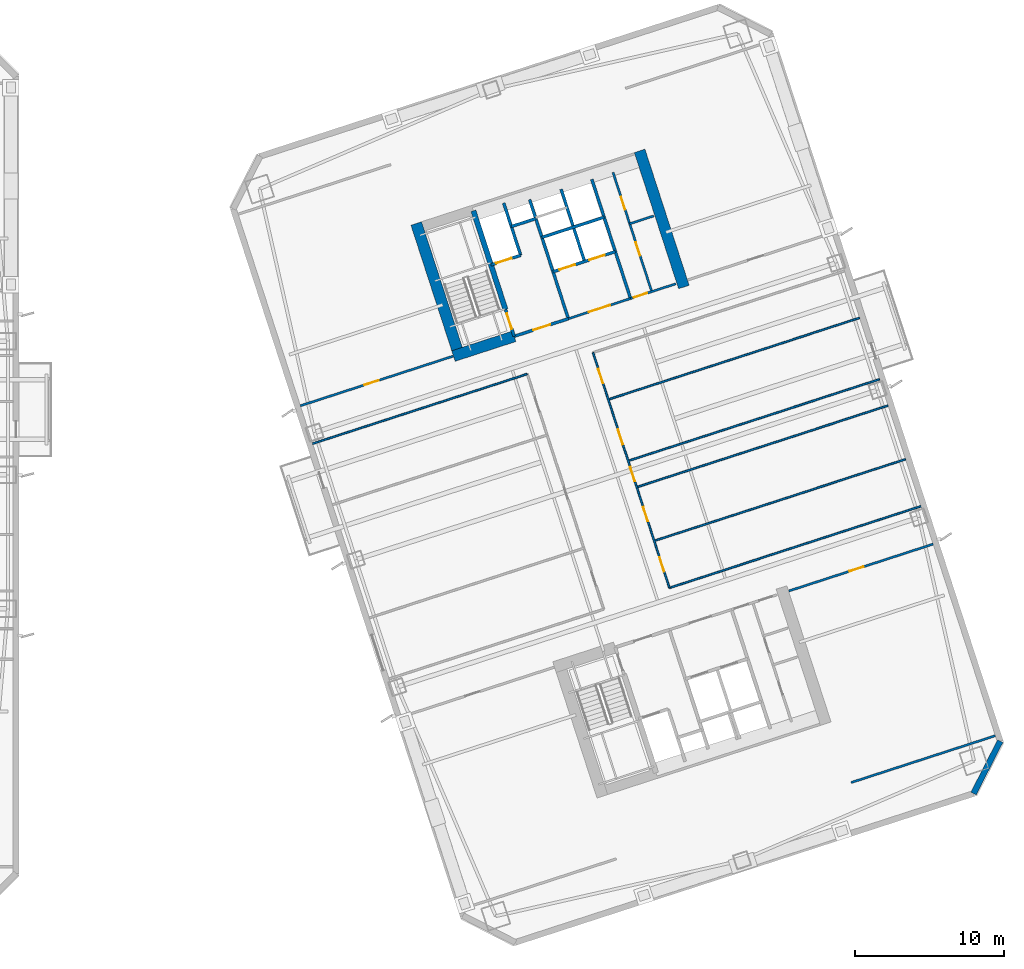
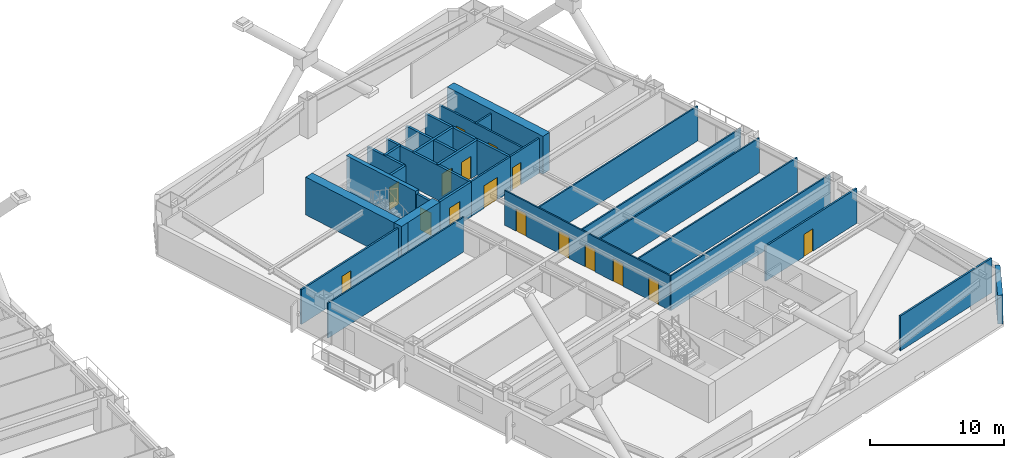
# One storey, part 8 of 18: 29 walls, 16 doors, 16 openings.
"""IFC4 building model written with IfcOpenShell, lengths in metres."""

from ifc_helpers import new_model, si_unit, direction, frame, frame_2d, origin, place, context, subcontext, project, spatial, rectangle, extrude, material, layer, layer_set, type_object, element, fill, save


model = new_model("IFC4")

# Units and contexts
model_context = context("Model", 3, precision=1e-05, world=origin(), true_north=direction((0.0, 1.0)))
body_context = subcontext(model_context, "Body", "Model", "MODEL_VIEW")
ifc_project = project(units=[si_unit("LENGTHUNIT", "METRE"), si_unit("AREAUNIT", "SQUARE_METRE"), si_unit("VOLUMEUNIT", "CUBIC_METRE"), si_unit("PLANEANGLEUNIT", "RADIAN"), si_unit("MASSUNIT", "GRAM", prefix="KILO")], contexts=[model_context])

# Site, building, storey
site_placement = place(None, origin())
site = spatial("IfcSite", under=ifc_project, at=site_placement, CompositionType="ELEMENT")
building_placement = place(site_placement, origin())
building = spatial("IfcBuilding", under=site, at=building_placement, Name="Qiaolan Cultural Towers", CompositionType="ELEMENT")
storey_placement = place(building_placement, frame((0.0, 0.0, 57.5)))
storey = spatial("IfcBuildingStorey", under=building, at=storey_placement, Name="L13", CompositionType="ELEMENT", Elevation=57.5)

# Walls
ifc_material_1 = material(Name="Concrete C50", Category="concrete")
ifc_layer_1 = layer(ifc_material_1, 0.35009765625)
ifc_layer_set_1 = layer_set([ifc_layer_1], Name="Concrete C50")
wall_type_1 = type_object("IfcWallType", Name="WL-CORE-350", PredefinedType="SHEAR", material=ifc_layer_set_1)
wall_1_placement = place(storey_placement, frame((82.513671875, 45.13134765625, 0.0), z_axis=(0.0, 0.0, 1.0), x_axis=(-0.308988790936, 0.951065679686, 0.0)))
element("IfcWall", 1, at=wall_1_placement, inside=storey, type_object=wall_type_1, Name="L13 T2-CN Stair Core Dividing Web", PredefinedType="SHEAR", context=body_context, shape_type="SweptSolid", body=[
    extrude(rectangle(XDim=6.97998046875, YDim=0.35009765625, at=frame_2d((3.489990234375, 0.0))), origin(), (0.0, 0.0, 1.0), 3.449951171875),
])
ifc_material_2 = material(Name="Concrete C60", Category="concrete")
ifc_layer_2 = layer(ifc_material_2, 0.75)
ifc_layer_set_2 = layer_set([ifc_layer_2], Name="Concrete C60")
wall_type_2 = type_object("IfcWallType", Name="WL-CORE-750", PredefinedType="SHEAR", material=ifc_layer_set_2)
for number, where, z_axis, x_axis, name in (
    (2, (79.48876953125, 41.75634765625, 0.0), (0.0, 0.0, 1.0), (-0.309016134813, 0.951056795583, 0.0), "L13 T2-CN West Core Shear Wall"),
    (3, (94.515380859375, 46.638916015625, 0.0), (0.0, 0.0, 1.0), (-0.309016134813, 0.951056795583, 0.0), "L13 T2-CN East Core Shear Wall"),
):
    element("IfcWall", number, at=place(storey_placement, frame(where, z_axis=z_axis, x_axis=x_axis)), inside=storey, type_object=wall_type_2, Name=name, PredefinedType="SHEAR", context=body_context, shape_type="SweptSolid", body=[
        extrude(rectangle(XDim=9.630126953125, YDim=0.75, at=frame_2d((4.81494140625, 0.0))), origin(), (0.0, 0.0, 1.0), 3.449951171875),
    ])
wall_2_placement = place(storey_placement, frame((79.01611328125, 41.997314453125, 0.0), z_axis=(0.0, 0.0, 1.0), x_axis=(0.95106038264, 0.309005094736, 0.0)))
element("IfcWall", 4, at=wall_2_placement, inside=storey, type_object=wall_type_2, Name="L13 T2-CN Stair Front Shear Wall", PredefinedType="SHEAR", context=body_context, shape_type="SweptSolid", body=[
    extrude(rectangle(XDim=4.294921875, YDim=0.75, at=frame_2d((2.1474609375, 0.0))), origin(), (0.0, 0.0, 1.0), 3.449951171875),
])
ifc_material_3 = material(Name="Precast Concrete C50 Honed Stone Pier", Category="masonry")
ifc_layer_3 = layer(ifc_material_3, 0.39990234375)
ifc_layer_set_3 = layer_set([ifc_layer_3], Name="Precast Concrete C50 Honed Stone Pier")
wall_type_3 = type_object("IfcWallType", Name="WL-EXT-PIER-400", PredefinedType="SOLIDWALL", material=ifc_layer_set_3)
wall_3_placement = place(storey_placement, frame((115.79541015625, 16.094970703125, 0.0), z_axis=(0.0, 0.0, 1.0), x_axis=(-0.453958106755, -0.891023028497, 0.0)))
element("IfcWall", 5, at=wall_3_placement, inside=storey, type_object=wall_type_3, Name="L13 East Tower Precast Pier Facade Wall F6", PredefinedType="SOLIDWALL", context=body_context, shape_type="SweptSolid", body=[
    extrude(rectangle(XDim=3.9599609375, YDim=0.39990234375, at=frame_2d((1.97998046875, 0.0))), origin(), (0.0, 0.0, 1.0), 2.610107421875),
])

# Wall, opening, door
ifc_material_4 = material(Name="Concrete C35 Fire Wall", Category="concrete")
ifc_layer_4 = layer(ifc_material_4, 0.199951171875)
ifc_layer_set_4 = layer_set([ifc_layer_4], Name="Concrete C35 Fire Wall")
wall_type_4 = type_object("IfcWallType", Name="WL-FIRE-200", PredefinedType="PARTITIONING", material=ifc_layer_set_4)
wall_4_placement = place(storey_placement, frame((83.100830078125, 43.324462890625, 0.0), z_axis=(0.0, 0.0, 1.0), x_axis=(-0.309048298632, 0.951046344356, 0.0)))
wall_4 = element("IfcWall", 6, at=wall_4_placement, inside=storey, type_object=wall_type_4, Name="L13 T2-CN Smokeproof Stair Entry Wall", PredefinedType="PARTITIONING", context=body_context, shape_type="SweptSolid", body=[
    extrude(rectangle(XDim=1.89990234375, YDim=0.199951171875, at=frame_2d((0.949951171875, 0.0))), origin(), (0.0, 0.0, 1.0), 3.175048828125),
])
opening_1_placement = place(wall_4_placement, frame((0.52001953125, 0.0, 0.0)))
opening_1 = element("IfcOpeningElement", 7, at=opening_1_placement, cuts=wall_4, Name="Opening FD-04", PredefinedType="OPENING", context=body_context, shape_type="SweptSolid", body=[
    extrude(rectangle(XDim=1.10009765625, YDim=2.050048828125, at=frame_2d((0.550048828125, 1.02490234375))), frame((0.0, 0.10986328125, 0.0), z_axis=(0.0, -1.0, 0.0), x_axis=(1.0, 0.0, 0.0)), (0.0, 0.0, 1.0), 0.219970703125),
])
ifc_material_5 = material(Name="Galvanized Steel Command Fire Door", Category="steel")
door_type_1 = type_object("IfcDoorType", Name="DR-FD90-1100", OperationType="NOTDEFINED", PredefinedType="DOOR", material=ifc_material_5)
door_1_placement = place(opening_1_placement, origin())
door_1 = element("IfcDoor", 8, at=door_1_placement, inside=storey, type_object=door_type_1, Name="L13 ST-E2 Smokeproof Stair Fire Door", OperationType="SINGLE_SWING_LEFT", OverallHeight=2.050048828125, OverallWidth=1.10009765625, PredefinedType="DOOR", context=body_context, shape_type="SweptSolid", body=[
    extrude(rectangle(XDim=1.10009765625, YDim=2.050048828125, at=frame_2d((0.550048828125, 1.02490234375))), frame((0.0, 0.02490234375, 0.0), z_axis=(0.0, -1.0, 0.0), x_axis=(1.0, 0.0, 0.0)), (0.0, 0.0, 1.0), 0.050048828125),
])
fill(opening_1, door_1)

# Wall
wall_5_placement = place(storey_placement, frame((86.743408203125, 44.508056640625, 0.0), z_axis=(0.0, 0.0, 1.0), x_axis=(-0.309016001439, 0.951056838919, 0.0)))
element("IfcWall", 9, at=wall_5_placement, inside=storey, type_object=wall_type_4, Name="L13 T2-CN Firefighting Zone Wall", PredefinedType="PARTITIONING", context=body_context, shape_type="SweptSolid", body=[
    extrude(rectangle(XDim=8.429931640625, YDim=0.199951171875, at=frame_2d((4.21484375, 0.0))), origin(), (0.0, 0.0, 1.0), 3.175048828125),
])

# Wall, opening, door
wall_6_placement = place(storey_placement, frame((83.100830078125, 43.324462890625, 0.0), z_axis=(0.0, 0.0, 1.0), x_axis=(0.951052804469, 0.309028417967, 0.0)))
wall_6 = element("IfcWall", 10, at=wall_6_placement, inside=storey, type_object=wall_type_4, Name="L13 T2-CN Firefighting Lobby Front Wall", PredefinedType="PARTITIONING", context=body_context, shape_type="SweptSolid", body=[
    extrude(rectangle(XDim=3.830078125, YDim=0.199951171875, at=frame_2d((1.9150390625, 0.0))), origin(), (0.0, 0.0, 1.0), 3.175048828125),
])
opening_2_placement = place(wall_6_placement, frame((1.35009765625, 0.0, 0.0)))
opening_2 = element("IfcOpeningElement", 11, at=opening_2_placement, cuts=wall_6, Name="Opening FD-03", PredefinedType="OPENING", context=body_context, shape_type="SweptSolid", body=[
    extrude(rectangle(XDim=1.199951171875, YDim=2.050048828125, at=frame_2d((0.60009765625, 1.02490234375))), frame((0.0, 0.10986328125, 0.0), z_axis=(0.0, -1.0, 0.0), x_axis=(1.0, 0.0, 0.0)), (0.0, 0.0, 1.0), 0.219970703125),
])
ifc_material_6 = material(Name="Galvanized Steel Smokeproof Lobby Fire Door", Category="steel")
door_type_2 = type_object("IfcDoorType", Name="DR-FD90-1200", OperationType="NOTDEFINED", PredefinedType="DOOR", material=ifc_material_6)
door_2_placement = place(opening_2_placement, origin())
door_2 = element("IfcDoor", 12, at=door_2_placement, inside=storey, type_object=door_type_2, Name="L13 FFL-E2 Firefighting Lobby Fire Door", OperationType="SINGLE_SWING_LEFT", OverallHeight=2.050048828125, OverallWidth=1.199951171875, PredefinedType="DOOR", context=body_context, shape_type="SweptSolid", body=[
    extrude(rectangle(XDim=1.199951171875, YDim=2.050048828125, at=frame_2d((0.60009765625, 1.02490234375))), frame((0.0, 0.02490234375, 0.0), z_axis=(0.0, -1.0, 0.0), x_axis=(1.0, 0.0, 0.0)), (0.0, 0.0, 1.0), 0.050048828125),
])
fill(opening_2, door_2)

wall_7_placement = place(storey_placement, frame((81.540283203125, 48.127197265625, 0.0), z_axis=(0.0, 0.0, 1.0), x_axis=(0.951062257173, 0.308999325213, 0.0)))
wall_7 = element("IfcWall", 13, at=wall_7_placement, inside=storey, type_object=wall_type_4, Name="L13 T2-CN Firefighting Shaft Front Wall", PredefinedType="PARTITIONING", context=body_context, shape_type="SweptSolid", body=[
    extrude(rectangle(XDim=2.10009765625, YDim=0.199951171875, at=frame_2d((1.050048828125, 0.0))), origin(), (0.0, 0.0, 1.0), 3.175048828125),
])
opening_3_placement = place(wall_7_placement, frame((0.35009765625, 0.0, 0.0)))
opening_3 = element("IfcOpeningElement", 14, at=opening_3_placement, cuts=wall_7, Name="Opening LD-01", PredefinedType="OPENING", context=body_context, shape_type="SweptSolid", body=[
    extrude(rectangle(XDim=1.10009765625, YDim=2.050048828125, at=frame_2d((0.550048828125, 1.02490234375))), frame((0.0, 0.10986328125, 0.0), z_axis=(0.0, -1.0, 0.0), x_axis=(1.0, 0.0, 0.0)), (0.0, 0.0, 1.0), 0.219970703125),
])
ifc_material_7 = material(Name="Brushed Stainless Steel S30408 Centre-Parting Lift Landing Door", Category="steel")
door_type_3 = type_object("IfcDoorType", Name="DR-LIFT-1100", OperationType="NOTDEFINED", PredefinedType="DOOR", material=ifc_material_7)
door_3_placement = place(opening_3_placement, origin())
door_3 = element("IfcDoor", 15, at=door_3_placement, inside=storey, type_object=door_type_3, Name="L13 FFL-E2 Firefighting Lift Landing Door", OperationType="DOUBLE_DOOR_SLIDING", OverallHeight=2.050048828125, OverallWidth=1.10009765625, PredefinedType="DOOR", context=body_context, shape_type="SweptSolid", body=[
    extrude(rectangle(XDim=1.10009765625, YDim=2.050048828125, at=frame_2d((0.550048828125, 1.02490234375))), frame((0.0, 0.02490234375, 0.0), z_axis=(0.0, -1.0, 0.0), x_axis=(1.0, 0.0, 0.0)), (0.0, 0.0, 1.0), 0.050048828125),
])
fill(opening_3, door_3)

# Walls
wall_8_placement = place(storey_placement, frame((83.53759765625, 48.776123046875, 0.0), z_axis=(0.0, 0.0, 1.0), x_axis=(-0.3089935693, 0.951064127245, 0.0)))
element("IfcWall", 16, at=wall_8_placement, inside=storey, type_object=wall_type_4, Name="L13 T2-CN Firefighting Hoistway East Wall", PredefinedType="PARTITIONING", context=body_context, shape_type="SweptSolid", body=[
    extrude(rectangle(XDim=3.7001953125, YDim=0.199951171875, at=frame_2d((1.85009765625, 0.0))), origin(), (0.0, 0.0, 1.0), 3.175048828125),
])
wall_9_placement = place(storey_placement, frame((82.910400390625, 50.706787109375, 0.0), z_axis=(0.0, 0.0, 1.0), x_axis=(0.951041328149, 0.309063734775, 0.0)))
element("IfcWall", 17, at=wall_9_placement, inside=storey, type_object=wall_type_4, Name="L13 T2-CN Pressurization Shaft Front Wall", PredefinedType="PARTITIONING", context=body_context, shape_type="SweptSolid", body=[
    extrude(rectangle(XDim=1.72998046875, YDim=0.199951171875, at=frame_2d((0.864990234375, 0.0))), origin(), (0.0, 0.0, 1.0), 3.175048828125),
])
wall_10_placement = place(storey_placement, frame((90.92822265625, 45.86767578125, 0.0), z_axis=(0.0, 0.0, 1.0), x_axis=(-0.309042196757, 0.951048327176, 0.0)))
element("IfcWall", 18, at=wall_10_placement, inside=storey, type_object=wall_type_4, Name="L13 T2-CN Lift Core East Wall", PredefinedType="PARTITIONING", context=body_context, shape_type="SweptSolid", body=[
    extrude(rectangle(XDim=8.429931640625, YDim=0.199951171875, at=frame_2d((4.21484375, 0.0))), origin(), (0.0, 0.0, 1.0), 3.175048828125),
])

# Wall, openings, doors
wall_11_placement = place(storey_placement, frame((85.717529296875, 47.66552734375, 0.0), z_axis=(0.0, 0.0, 1.0), x_axis=(0.951058531764, 0.30901079133, 0.0)))
wall_11 = element("IfcWall", 19, at=wall_11_placement, inside=storey, type_object=wall_type_4, Name="L13 T2-CN Passenger Lift Shaft Front Wall", PredefinedType="PARTITIONING", context=body_context, shape_type="SweptSolid", body=[
    extrude(rectangle(XDim=4.39990234375, YDim=0.199951171875, at=frame_2d((2.199951171875, 0.0))), origin(), (0.0, 0.0, 1.0), 3.175048828125),
])
opening_4_placement = place(wall_11_placement, frame((0.449951171875, 0.0, 0.0)))
opening_4 = element("IfcOpeningElement", 20, at=opening_4_placement, cuts=wall_11, Name="Opening LD-01", PredefinedType="OPENING", context=body_context, shape_type="SweptSolid", body=[
    extrude(rectangle(XDim=1.10009765625, YDim=2.050048828125, at=frame_2d((0.550048828125, 1.02490234375))), frame((0.0, 0.10986328125, 0.0), z_axis=(0.0, -1.0, 0.0), x_axis=(1.0, 0.0, 0.0)), (0.0, 0.0, 1.0), 0.219970703125),
])
opening_5_placement = place(wall_11_placement, frame((2.550048828125, 0.0, 0.0)))
opening_5 = element("IfcOpeningElement", 21, at=opening_5_placement, cuts=wall_11, Name="Opening LD-01", PredefinedType="OPENING", context=body_context, shape_type="SweptSolid", body=[
    extrude(rectangle(XDim=1.10009765625, YDim=2.050048828125, at=frame_2d((0.550048828125, 1.02490234375))), frame((0.0, 0.10986328125, 0.0), z_axis=(0.0, -1.0, 0.0), x_axis=(1.0, 0.0, 0.0)), (0.0, 0.0, 1.0), 0.219970703125),
])
door_4_placement = place(opening_4_placement, origin())
door_4 = element("IfcDoor", 22, at=door_4_placement, inside=storey, type_object=door_type_3, Name="L13 Passenger Lift 1 Landing Door", OperationType="DOUBLE_DOOR_SLIDING", OverallHeight=2.050048828125, OverallWidth=1.10009765625, PredefinedType="DOOR", context=body_context, shape_type="SweptSolid", body=[
    extrude(rectangle(XDim=1.10009765625, YDim=2.050048828125, at=frame_2d((0.550048828125, 1.02490234375))), frame((0.0, 0.02490234375, 0.0), z_axis=(0.0, -1.0, 0.0), x_axis=(1.0, 0.0, 0.0)), (0.0, 0.0, 1.0), 0.050048828125),
])
fill(opening_4, door_4)
door_5_placement = place(opening_5_placement, origin())
door_5 = element("IfcDoor", 23, at=door_5_placement, inside=storey, type_object=door_type_3, Name="L13 Passenger Lift 2 Landing Door", OperationType="DOUBLE_DOOR_SLIDING", OverallHeight=2.050048828125, OverallWidth=1.10009765625, PredefinedType="DOOR", context=body_context, shape_type="SweptSolid", body=[
    extrude(rectangle(XDim=1.10009765625, YDim=2.050048828125, at=frame_2d((0.550048828125, 1.02490234375))), frame((0.0, 0.02490234375, 0.0), z_axis=(0.0, -1.0, 0.0), x_axis=(1.0, 0.0, 0.0)), (0.0, 0.0, 1.0), 0.050048828125),
])
fill(opening_5, door_5)

# Walls
wall_12_placement = place(storey_placement, frame((87.83837890625, 48.3544921875, 0.0), z_axis=(0.0, 0.0, 1.0), x_axis=(-0.3090093719, 0.951058992953, 0.0)))
element("IfcWall", 24, at=wall_12_placement, inside=storey, type_object=wall_type_4, Name="L13 T2-CN Lift Shaft Divider Wall", PredefinedType="PARTITIONING", context=body_context, shape_type="SweptSolid", body=[
    extrude(rectangle(XDim=5.110107421875, YDim=0.199951171875, at=frame_2d((2.55517578125, 0.0))), origin(), (0.0, 0.0, 1.0), 3.175048828125),
])
wall_13_placement = place(storey_placement, frame((84.966552734375, 49.9765625, 0.0), z_axis=(0.0, 0.0, 1.0), x_axis=(0.951063829732, 0.308994485023, 0.0)))
element("IfcWall", 25, at=wall_13_placement, inside=storey, type_object=wall_type_4, Name="L13 T2-CN Passenger Lift Shaft Back Wall", PredefinedType="PARTITIONING", context=body_context, shape_type="SweptSolid", body=[
    extrude(rectangle(XDim=4.400146484375, YDim=0.199951171875, at=frame_2d((2.2001953125, 0.0))), origin(), (0.0, 0.0, 1.0), 3.175048828125),
])
ifc_material_8 = material(Name="Gypsum Stud Acoustic Partition", Category="gypsum")
ifc_layer_5 = layer(ifc_material_8, 0.1201171875)
ifc_layer_set_5 = layer_set([ifc_layer_5], Name="Gypsum Stud Acoustic Partition")
wall_type_5 = type_object("IfcWallType", Name="WL-PART-120", PredefinedType="PARTITIONING", material=ifc_layer_set_5)
wall_14_placement = place(storey_placement, frame((93.5458984375, 26.404052734375, 0.0), z_axis=(0.0, 0.0, 1.0), x_axis=(0.951058189574, 0.309011844505, 0.0)))
element("IfcWall", 26, at=wall_14_placement, inside=storey, type_object=wall_type_5, Name="L13 T2 South Corridor Right Wall", PredefinedType="PARTITIONING", context=body_context, shape_type="SweptSolid", body=[
    extrude(rectangle(XDim=17.77490234375, YDim=0.1201171875, at=frame_2d((8.887451171875, 0.0))), origin(), (0.0, 0.0, 1.0), 3.175048828125),
])
wall_15_placement = place(storey_placement, frame((69.549072265625, 36.103271484375, 0.0), z_axis=(0.0, 0.0, 1.0), x_axis=(0.951054756643, 0.309022409974, 0.0)))
element("IfcWall", 27, at=wall_15_placement, inside=storey, type_object=wall_type_5, Name="L13 T2 North Corridor Left Wall", PredefinedType="PARTITIONING", context=body_context, shape_type="SweptSolid", body=[
    extrude(rectangle(XDim=15.175048828125, YDim=0.1201171875, at=frame_2d((7.58740234375, 0.0))), origin(), (0.0, 0.0, 1.0), 3.175048828125),
])

# Wall, openings, doors
wall_16_placement = place(storey_placement, frame((93.5458984375, 26.404052734375, 0.0), z_axis=(0.0, 0.0, 1.0), x_axis=(-0.309022042254, 0.951054876125, 0.0)))
wall_16 = element("IfcWall", 28, at=wall_16_placement, inside=storey, type_object=wall_type_5, Name="L13 T2 East Spine Wall", PredefinedType="PARTITIONING", context=body_context, shape_type="SweptSolid", body=[
    extrude(rectangle(XDim=16.639892578125, YDim=0.1201171875, at=frame_2d((8.31982421875, 0.0))), origin(), (0.0, 0.0, 1.0), 3.175048828125),
])
opening_6_placement = place(wall_16_placement, frame((1.159912109375, 0.0, 0.0)))
opening_6 = element("IfcOpeningElement", 29, at=opening_6_placement, cuts=wall_16, Name="Opening ID-04", PredefinedType="OPENING", context=body_context, shape_type="SweptSolid", body=[
    extrude(rectangle(XDim=1.0, YDim=2.050048828125, at=frame_2d((0.5, 1.02490234375))), frame((0.0, 0.070068359375, 0.0), z_axis=(0.0, -1.0, 0.0), x_axis=(1.0, 0.0, 0.0)), (0.0, 0.0, 1.0), 0.14013671875),
])
opening_7_placement = place(wall_16_placement, frame((4.719970703125, 0.0, 0.0)))
opening_7 = element("IfcOpeningElement", 30, at=opening_7_placement, cuts=wall_16, Name="Opening ID-04", PredefinedType="OPENING", context=body_context, shape_type="SweptSolid", body=[
    extrude(rectangle(XDim=1.0, YDim=2.050048828125, at=frame_2d((0.5, 1.02490234375))), frame((0.0, 0.070068359375, 0.0), z_axis=(0.0, -1.0, 0.0), x_axis=(1.0, 0.0, 0.0)), (0.0, 0.0, 1.0), 0.14013671875),
])
opening_8_placement = place(wall_16_placement, frame((7.548583984375, 0.0, 0.0)))
opening_8 = element("IfcOpeningElement", 31, at=opening_8_placement, cuts=wall_16, Name="Opening ID-04", PredefinedType="OPENING", context=body_context, shape_type="SweptSolid", body=[
    extrude(rectangle(XDim=1.0, YDim=2.050048828125, at=frame_2d((0.5, 1.02490234375))), frame((0.0, 0.070068359375, 0.0), z_axis=(0.0, -1.0, 0.0), x_axis=(1.0, 0.0, 0.0)), (0.0, 0.0, 1.0), 0.14013671875),
])
opening_9_placement = place(wall_16_placement, frame((10.1484375, 0.0, 0.0)))
opening_9 = element("IfcOpeningElement", 32, at=opening_9_placement, cuts=wall_16, Name="Opening ID-07", PredefinedType="OPENING", context=body_context, shape_type="SweptSolid", body=[
    extrude(rectangle(XDim=1.050048828125, YDim=2.050048828125, at=frame_2d((0.52490234375, 1.02490234375))), frame((0.0, 0.070068359375, 0.0), z_axis=(0.0, -1.0, 0.0), x_axis=(1.0, 0.0, 0.0)), (0.0, 0.0, 1.0), 0.14013671875),
])
opening_10_placement = place(wall_16_placement, frame((14.47998046875, 0.0, 0.0)))
opening_10 = element("IfcOpeningElement", 33, at=opening_10_placement, cuts=wall_16, Name="Opening ID-04", PredefinedType="OPENING", context=body_context, shape_type="SweptSolid", body=[
    extrude(rectangle(XDim=1.0, YDim=2.050048828125, at=frame_2d((0.5, 1.02490234375))), frame((0.0, 0.070068359375, 0.0), z_axis=(0.0, -1.0, 0.0), x_axis=(1.0, 0.0, 0.0)), (0.0, 0.0, 1.0), 0.14013671875),
])
ifc_material_9 = material(Name="Oak Veneer Acoustic Office Door", Category="timber")
door_type_4 = type_object("IfcDoorType", Name="DR-INT-1000", OperationType="NOTDEFINED", PredefinedType="DOOR", material=ifc_material_9)
door_6_placement = place(opening_6_placement, origin())
door_6 = element("IfcDoor", 34, at=door_6_placement, inside=storey, type_object=door_type_4, Name="L13 T2 Architecture Studio Door", OperationType="SINGLE_SWING_RIGHT", OverallHeight=2.050048828125, OverallWidth=1.0, PredefinedType="DOOR", context=body_context, shape_type="SweptSolid", body=[
    extrude(rectangle(XDim=1.0, YDim=2.050048828125, at=frame_2d((0.5, 1.02490234375))), frame((0.0, 0.02490234375, 0.0), z_axis=(0.0, -1.0, 0.0), x_axis=(1.0, 0.0, 0.0)), (0.0, 0.0, 1.0), 0.050048828125),
])
fill(opening_6, door_6)
door_7_placement = place(opening_7_placement, origin())
door_7 = element("IfcDoor", 35, at=door_7_placement, inside=storey, type_object=door_type_4, Name="L13 T2 Architecture Studio Door", OperationType="SINGLE_SWING_LEFT", OverallHeight=2.050048828125, OverallWidth=1.0, PredefinedType="DOOR", context=body_context, shape_type="SweptSolid", body=[
    extrude(rectangle(XDim=1.0, YDim=2.050048828125, at=frame_2d((0.5, 1.02490234375))), frame((0.0, 0.02490234375, 0.0), z_axis=(0.0, -1.0, 0.0), x_axis=(1.0, 0.0, 0.0)), (0.0, 0.0, 1.0), 0.050048828125),
])
fill(opening_7, door_7)
door_8_placement = place(opening_8_placement, origin())
door_8 = element("IfcDoor", 36, at=door_8_placement, inside=storey, type_object=door_type_4, Name="L13 T2 Architecture Studio Door", OperationType="SINGLE_SWING_RIGHT", OverallHeight=2.050048828125, OverallWidth=1.0, PredefinedType="DOOR", context=body_context, shape_type="SweptSolid", body=[
    extrude(rectangle(XDim=1.0, YDim=2.050048828125, at=frame_2d((0.5, 1.02490234375))), frame((0.0, 0.02490234375, 0.0), z_axis=(0.0, -1.0, 0.0), x_axis=(1.0, 0.0, 0.0)), (0.0, 0.0, 1.0), 0.050048828125),
])
fill(opening_8, door_8)
door_9_placement = place(opening_10_placement, origin())
door_9 = element("IfcDoor", 37, at=door_9_placement, inside=storey, type_object=door_type_4, Name="L13 T2 Espresso Pantry Door", OperationType="SINGLE_SWING_LEFT", OverallHeight=2.050048828125, OverallWidth=1.0, PredefinedType="DOOR", context=body_context, shape_type="SweptSolid", body=[
    extrude(rectangle(XDim=1.0, YDim=2.050048828125, at=frame_2d((0.5, 1.02490234375))), frame((0.0, 0.02490234375, 0.0), z_axis=(0.0, -1.0, 0.0), x_axis=(1.0, 0.0, 0.0)), (0.0, 0.0, 1.0), 0.050048828125),
])
fill(opening_10, door_9)
ifc_material_10 = material(Name="Oak Veneer Consultation Door", Category="timber")
door_type_5 = type_object("IfcDoorType", Name="DR-INT-1050", OperationType="NOTDEFINED", PredefinedType="DOOR", material=ifc_material_10)
door_10_placement = place(opening_9_placement, origin())
door_10 = element("IfcDoor", 38, at=door_10_placement, inside=storey, type_object=door_type_5, Name="L13 T2 Architecture Studio Door", OperationType="SINGLE_SWING_LEFT", OverallHeight=2.050048828125, OverallWidth=1.050048828125, PredefinedType="DOOR", context=body_context, shape_type="SweptSolid", body=[
    extrude(rectangle(XDim=1.050048828125, YDim=2.050048828125, at=frame_2d((0.52490234375, 1.02490234375))), frame((0.0, 0.02490234375, 0.0), z_axis=(0.0, -1.0, 0.0), x_axis=(1.0, 0.0, 0.0)), (0.0, 0.0, 1.0), 0.050048828125),
])
fill(opening_9, door_10)

# Walls
for number, where, z_axis, x_axis, name in (
    (39, (92.52001953125, 29.5615234375, 0.0), (0.0, 0.0, 1.0), (0.951058189574, 0.309011844505, 0.0), "L13 T2 East Partition 1"),
    (40, (91.345703125, 33.175537109375, 0.0), (0.0, 0.0, 1.0), (0.951058189574, 0.309011844505, 0.0), "L13 T2 East Partition 2"),
    (41, (90.771728515625, 34.941650390625, 0.0), (0.0, 0.0, 1.0), (0.951058189574, 0.309011844505, 0.0), "L13 T2 East Partition 3"),
    (42, (89.4296875, 39.072021484375, 0.0), (0.0, 0.0, 1.0), (0.951058189574, 0.309011844505, 0.0), "L13 T2 East Partition 5"),
):
    element("IfcWall", number, at=place(storey_placement, frame(where, z_axis=z_axis, x_axis=x_axis)), inside=storey, type_object=wall_type_5, Name=name, PredefinedType="PARTITIONING", context=body_context, shape_type="SweptSolid", body=[
        extrude(rectangle(XDim=17.77490234375, YDim=0.1201171875, at=frame_2d((8.887451171875, 0.0))), origin(), (0.0, 0.0, 1.0), 3.175048828125),
    ])

# Wall, opening, door
ifc_material_11 = material(Name="Autoclaved Aerated Concrete Block B06", Category="concrete")
ifc_layer_6 = layer(ifc_material_11, 0.14990234375)
ifc_layer_set_6 = layer_set([ifc_layer_6], Name="Autoclaved Aerated Concrete Block B06")
wall_type_6 = type_object("IfcWallType", Name="WL-PART-150", PredefinedType="PARTITIONING", material=ifc_layer_set_6)
wall_17_placement = place(storey_placement, frame((86.743408203125, 44.508056640625, 0.0), z_axis=(0.0, 0.0, 1.0), x_axis=(0.951063829732, 0.308994485023, 0.0)))
wall_17 = element("IfcWall", 43, at=wall_17_placement, inside=storey, type_object=wall_type_6, Name="L13 T2-CN Passenger Lift Lobby Front Wall", PredefinedType="PARTITIONING", context=body_context, shape_type="SweptSolid", body=[
    extrude(rectangle(XDim=4.400146484375, YDim=0.14990234375, at=frame_2d((2.2001953125, 0.0))), origin(), (0.0, 0.0, 1.0), 3.175048828125),
])
opening_11_placement = place(wall_17_placement, frame((1.449951171875, 0.0, 0.0)))
opening_11 = element("IfcOpeningElement", 44, at=opening_11_placement, cuts=wall_17, Name="Opening FD-05", PredefinedType="OPENING", context=body_context, shape_type="SweptSolid", body=[
    extrude(rectangle(XDim=1.5, YDim=2.050048828125, at=frame_2d((0.75, 1.02490234375))), frame((0.0, 0.0849609375, 0.0), z_axis=(0.0, -1.0, 0.0), x_axis=(1.0, 0.0, 0.0)), (0.0, 0.0, 1.0), 0.169921875),
])
ifc_material_12 = material(Name="Painted Steel Lift Lobby Fire Door", Category="steel")
door_type_6 = type_object("IfcDoorType", Name="DR-FD60-1500", OperationType="NOTDEFINED", PredefinedType="DOOR", material=ifc_material_12)
door_11_placement = place(opening_11_placement, origin())
door_11 = element("IfcDoor", 45, at=door_11_placement, inside=storey, type_object=door_type_6, Name="L13 Passenger Lift Lobby Entrance", OperationType="SINGLE_SWING_LEFT", OverallHeight=2.050048828125, OverallWidth=1.5, PredefinedType="DOOR", context=body_context, shape_type="SweptSolid", body=[
    extrude(rectangle(XDim=1.5, YDim=2.050048828125, at=frame_2d((0.75, 1.02490234375))), frame((0.0, 0.02490234375, 0.0), z_axis=(0.0, -1.0, 0.0), x_axis=(1.0, 0.0, 0.0)), (0.0, 0.0, 1.0), 0.050048828125),
])
fill(opening_11, door_11)

wall_18_placement = place(storey_placement, frame((90.92822265625, 45.86767578125, 0.0), z_axis=(0.0, 0.0, 1.0), x_axis=(0.951059297078, 0.309008435874, 0.0)))
wall_18 = element("IfcWall", 46, at=wall_18_placement, inside=storey, type_object=wall_type_6, Name="L13 T2-CN Sanitary Core Front Wall", PredefinedType="PARTITIONING", context=body_context, shape_type="SweptSolid", body=[
    extrude(rectangle(XDim=3.19970703125, YDim=0.14990234375, at=frame_2d((1.599853515625, 0.0))), origin(), (0.0, 0.0, 1.0), 3.175048828125),
])
opening_12_placement = place(wall_18_placement, frame((0.219970703125, 0.0, 0.0)))
opening_12 = element("IfcOpeningElement", 47, at=opening_12_placement, cuts=wall_18, Name="Opening ID-05", PredefinedType="OPENING", context=body_context, shape_type="SweptSolid", body=[
    extrude(rectangle(XDim=0.949951171875, YDim=2.050048828125, at=frame_2d((0.47509765625, 1.02490234375))), frame((0.0, 0.0849609375, 0.0), z_axis=(0.0, -1.0, 0.0), x_axis=(1.0, 0.0, 0.0)), (0.0, 0.0, 1.0), 0.169921875),
])
ifc_material_13 = material(Name="Fire-Rated Laminate Accessible Core Door", Category="timber")
door_type_7 = type_object("IfcDoorType", Name="DR-INT-950", OperationType="NOTDEFINED", PredefinedType="DOOR", material=ifc_material_13)
door_12_placement = place(opening_12_placement, origin())
door_12 = element("IfcDoor", 48, at=door_12_placement, inside=storey, type_object=door_type_7, Name="L13 Sanitary Lobby Door", OperationType="SINGLE_SWING_LEFT", OverallHeight=2.050048828125, OverallWidth=0.949951171875, PredefinedType="DOOR", context=body_context, shape_type="SweptSolid", body=[
    extrude(rectangle(XDim=0.949951171875, YDim=2.050048828125, at=frame_2d((0.47509765625, 1.02490234375))), frame((0.0, 0.02490234375, 0.0), z_axis=(0.0, -1.0, 0.0), x_axis=(1.0, 0.0, 0.0)), (0.0, 0.0, 1.0), 0.050048828125),
])
fill(opening_12, door_12)

# Wall, openings, doors
wall_19_placement = place(storey_placement, frame((92.354736328125, 46.3310546875, 0.0), z_axis=(0.0, 0.0, 1.0), x_axis=(-0.309007490203, 0.951059604335, 0.0)))
wall_19 = element("IfcWall", 49, at=wall_19_placement, inside=storey, type_object=wall_type_6, Name="L13 T2-CN Washroom Split Wall", PredefinedType="PARTITIONING", context=body_context, shape_type="SweptSolid", body=[
    extrude(rectangle(XDim=8.43017578125, YDim=0.14990234375, at=frame_2d((4.215087890625, 0.0))), origin(), (0.0, 0.0, 1.0), 3.175048828125),
])
opening_13_placement = place(wall_19_placement, frame((2.550048828125, 0.0, 0.0)))
opening_13 = element("IfcOpeningElement", 50, at=opening_13_placement, cuts=wall_19, Name="Opening ID-05", PredefinedType="OPENING", context=body_context, shape_type="SweptSolid", body=[
    extrude(rectangle(XDim=0.949951171875, YDim=2.050048828125, at=frame_2d((0.47509765625, 1.02490234375))), frame((0.0, 0.0849609375, 0.0), z_axis=(0.0, -1.0, 0.0), x_axis=(1.0, 0.0, 0.0)), (0.0, 0.0, 1.0), 0.169921875),
])
opening_14_placement = place(wall_19_placement, frame((5.800048828125, 0.0, 0.0)))
opening_14 = element("IfcOpeningElement", 51, at=opening_14_placement, cuts=wall_19, Name="Opening ID-06", PredefinedType="OPENING", context=body_context, shape_type="SweptSolid", body=[
    extrude(rectangle(XDim=0.89990234375, YDim=2.050048828125, at=frame_2d((0.449951171875, 1.02490234375))), frame((0.0, 0.0849609375, 0.0), z_axis=(0.0, -1.0, 0.0), x_axis=(1.0, 0.0, 0.0)), (0.0, 0.0, 1.0), 0.169921875),
])
ifc_material_14 = material(Name="Fire-Rated Laminate Core Service Door", Category="timber")
door_type_8 = type_object("IfcDoorType", Name="DR-INT-900", OperationType="NOTDEFINED", PredefinedType="DOOR", material=ifc_material_14)
door_13_placement = place(opening_14_placement, origin())
door_13 = element("IfcDoor", 52, at=door_13_placement, inside=storey, type_object=door_type_8, Name="L13 First-Aid Room Door", OperationType="SINGLE_SWING_RIGHT", OverallHeight=2.050048828125, OverallWidth=0.89990234375, PredefinedType="DOOR", context=body_context, shape_type="SweptSolid", body=[
    extrude(rectangle(XDim=0.89990234375, YDim=2.050048828125, at=frame_2d((0.449951171875, 1.02490234375))), frame((0.0, 0.02490234375, 0.0), z_axis=(0.0, -1.0, 0.0), x_axis=(1.0, 0.0, 0.0)), (0.0, 0.0, 1.0), 0.050048828125),
])
fill(opening_14, door_13)
door_14_placement = place(opening_13_placement, origin())
door_14 = element("IfcDoor", 53, at=door_14_placement, inside=storey, type_object=door_type_7, Name="L13 Accessible Washroom Door", OperationType="SINGLE_SWING_LEFT", OverallHeight=2.050048828125, OverallWidth=0.949951171875, PredefinedType="DOOR", context=body_context, shape_type="SweptSolid", body=[
    extrude(rectangle(XDim=0.949951171875, YDim=2.050048828125, at=frame_2d((0.47509765625, 1.02490234375))), frame((0.0, 0.02490234375, 0.0), z_axis=(0.0, -1.0, 0.0), x_axis=(1.0, 0.0, 0.0)), (0.0, 0.0, 1.0), 0.050048828125),
])
fill(opening_13, door_14)

# Walls
wall_20_placement = place(storey_placement, frame((90.871337890625, 50.896240234375, 0.0), z_axis=(0.0, 0.0, 1.0), x_axis=(0.951054116971, 0.309024378638, 0.0)))
element("IfcWall", 54, at=wall_20_placement, inside=storey, type_object=wall_type_6, Name="L13 T2-CN First-Aid Wall", PredefinedType="PARTITIONING", context=body_context, shape_type="SweptSolid", body=[
    extrude(rectangle(XDim=1.7001953125, YDim=0.14990234375, at=frame_2d((0.85009765625, 0.0))), origin(), (0.0, 0.0, 1.0), 3.175048828125),
])
wall_21_placement = place(storey_placement, frame((105.765380859375, 13.30908203125, 0.0), z_axis=(0.0, 0.0, 1.0), x_axis=(0.951054294345, 0.309023832749, 0.0)))
element("IfcWall", 55, at=wall_21_placement, inside=storey, type_object=wall_type_6, Name="L13 T2 Flank Wall FLK-SE", PredefinedType="PARTITIONING", context=body_context, shape_type="SweptSolid", body=[
    extrude(rectangle(XDim=10.2001953125, YDim=0.14990234375, at=frame_2d((5.10009765625, 0.0))), origin(), (0.0, 0.0, 1.0), 3.175048828125),
])

# Wall, opening, door
wall_22_placement = place(storey_placement, frame((101.578369140625, 26.196044921875, 0.0), z_axis=(0.0, 0.0, 1.0), x_axis=(0.951059043131, 0.309009217467, 0.0)))
wall_22 = element("IfcWall", 56, at=wall_22_placement, inside=storey, type_object=wall_type_6, Name="L13 T2 Flank Front FLK-SE", PredefinedType="PARTITIONING", context=body_context, shape_type="SweptSolid", body=[
    extrude(rectangle(XDim=10.199951171875, YDim=0.14990234375, at=frame_2d((5.10009765625, 0.0))), origin(), (0.0, 0.0, 1.0), 3.175048828125),
])
opening_15_placement = place(wall_22_placement, frame((4.283935546875, 0.0, 0.0)))
opening_15 = element("IfcOpeningElement", 57, at=opening_15_placement, cuts=wall_22, Name="Opening ID-04", PredefinedType="OPENING", context=body_context, shape_type="SweptSolid", body=[
    extrude(rectangle(XDim=1.0, YDim=2.050048828125, at=frame_2d((0.5, 1.02490234375))), frame((0.0, 0.0849609375, 0.0), z_axis=(0.0, -1.0, 0.0), x_axis=(1.0, 0.0, 0.0)), (0.0, 0.0, 1.0), 0.169921875),
])
door_15_placement = place(opening_15_placement, origin())
door_15 = element("IfcDoor", 58, at=door_15_placement, inside=storey, type_object=door_type_4, Name="L13 T2 Corner Studio Door", OperationType="SINGLE_SWING_LEFT", OverallHeight=2.050048828125, OverallWidth=1.0, PredefinedType="DOOR", context=body_context, shape_type="SweptSolid", body=[
    extrude(rectangle(XDim=1.0, YDim=2.050048828125, at=frame_2d((0.5, 1.02490234375))), frame((0.0, 0.02490234375, 0.0), z_axis=(0.0, -1.0, 0.0), x_axis=(1.0, 0.0, 0.0)), (0.0, 0.0, 1.0), 0.050048828125),
])
fill(opening_15, door_15)

wall_23_placement = place(storey_placement, frame((68.720947265625, 38.652099609375, 0.0), z_axis=(0.0, 0.0, 1.0), x_axis=(0.951056658866, 0.309016555588, 0.0)))
wall_23 = element("IfcWall", 59, at=wall_23_placement, inside=storey, type_object=wall_type_6, Name="L13 T2 Flank Front FLK-NW", PredefinedType="PARTITIONING", context=body_context, shape_type="SweptSolid", body=[
    extrude(rectangle(XDim=10.800048828125, YDim=0.14990234375, at=frame_2d((5.39990234375, 0.0))), origin(), (0.0, 0.0, 1.0), 3.175048828125),
])
opening_16_placement = place(wall_23_placement, frame((4.535888671875, 0.0, 0.0)))
opening_16 = element("IfcOpeningElement", 60, at=opening_16_placement, cuts=wall_23, Name="Opening ID-04", PredefinedType="OPENING", context=body_context, shape_type="SweptSolid", body=[
    extrude(rectangle(XDim=1.0, YDim=2.050048828125, at=frame_2d((0.5, 1.02490234375))), frame((0.0, 0.0849609375, 0.0), z_axis=(0.0, -1.0, 0.0), x_axis=(1.0, 0.0, 0.0)), (0.0, 0.0, 1.0), 0.169921875),
])
door_16_placement = place(opening_16_placement, origin())
door_16 = element("IfcDoor", 61, at=door_16_placement, inside=storey, type_object=door_type_4, Name="L13 T2 Corner Studio Door", OperationType="SINGLE_SWING_LEFT", OverallHeight=2.050048828125, OverallWidth=1.0, PredefinedType="DOOR", context=body_context, shape_type="SweptSolid", body=[
    extrude(rectangle(XDim=1.0, YDim=2.050048828125, at=frame_2d((0.5, 1.02490234375))), frame((0.0, 0.02490234375, 0.0), z_axis=(0.0, -1.0, 0.0), x_axis=(1.0, 0.0, 0.0)), (0.0, 0.0, 1.0), 0.050048828125),
])
fill(opening_16, door_16)

save(model, "model.ifc")
